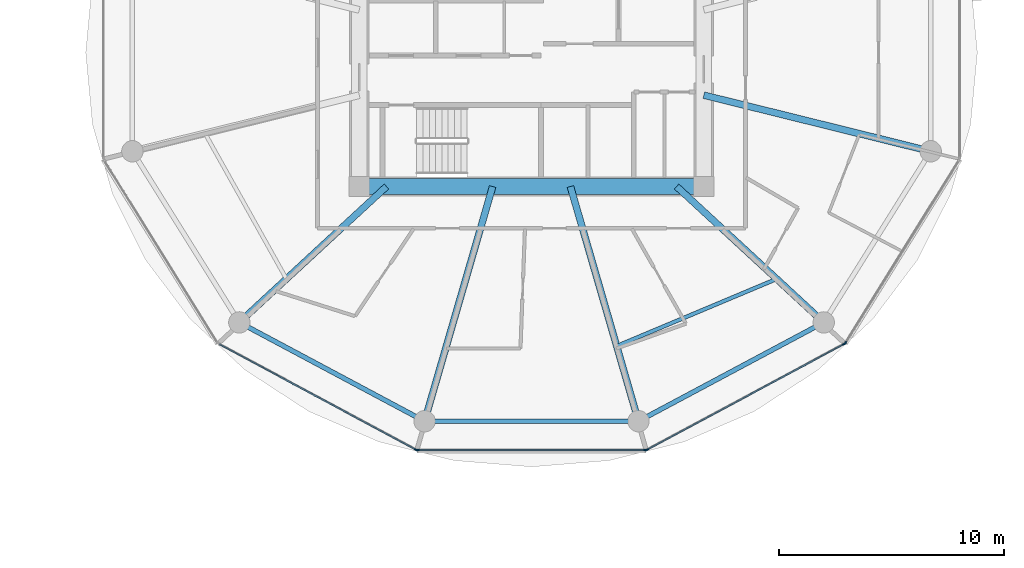
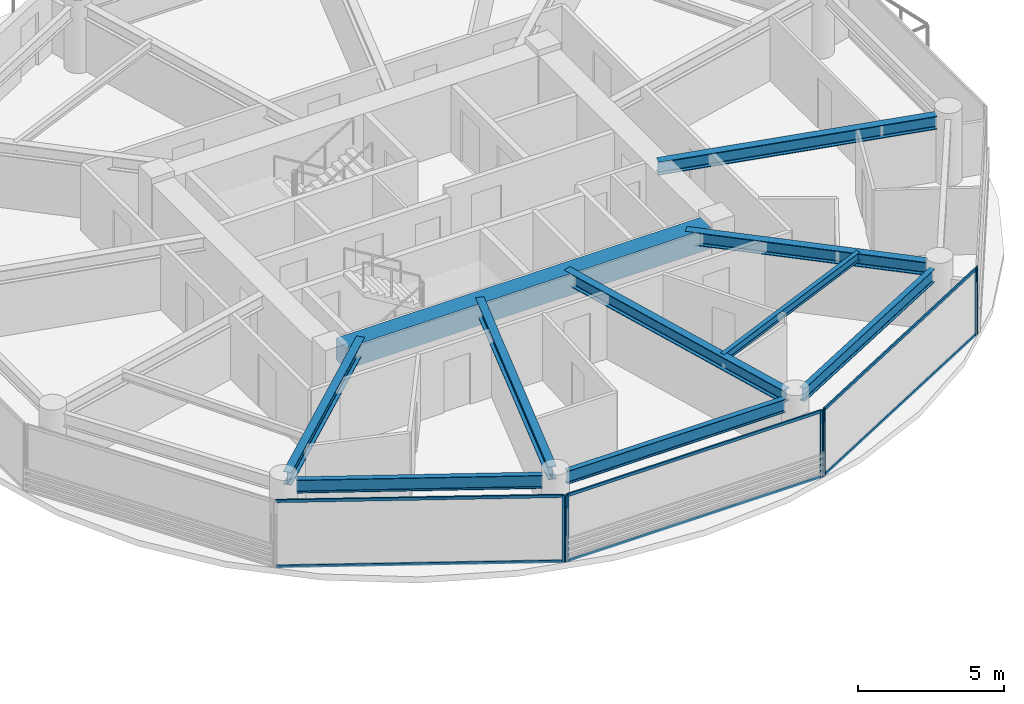
# One storey, part 10 of 26: 12 members, 10 beams, 4 elements without a shape of their own.
"""IFC4 building model written with IfcOpenShell, lengths in metres."""

from ifc_helpers import new_model, si_unit, direction, frame, origin, origin_2d, place, context, subcontext, project, spatial, rectangle, i_section, extrude, source, transform, mapped, material, layer, layer_set, material_profile, profile_set, type_object, type_shapes, element, aggregate, save


model = new_model("IFC4")

# Units and contexts
model_context = context("Model", 3, precision=1e-05, world=origin(), true_north=direction((0.0, 1.0)))
body_context = subcontext(model_context, "Body", "Model", "MODEL_VIEW")
ifc_project = project(units=[si_unit("LENGTHUNIT", "METRE"), si_unit("AREAUNIT", "SQUARE_METRE"), si_unit("VOLUMEUNIT", "CUBIC_METRE"), si_unit("PLANEANGLEUNIT", "RADIAN"), si_unit("MASSUNIT", "GRAM", prefix="KILO")], contexts=[model_context])

# Site, building, storey
site_placement = place(None, origin())
site = spatial("IfcSite", under=ifc_project, at=site_placement, CompositionType="ELEMENT")
building_placement = place(site_placement, origin())
building = spatial("IfcBuilding", under=site, at=building_placement, Name="Norrkilde Senior Care Towers", CompositionType="ELEMENT")
storey_placement = place(building_placement, frame((0.0, 0.0, 49.050048828125)))
storey = spatial("IfcBuildingStorey", under=building, at=storey_placement, Name="L14", CompositionType="ELEMENT", Elevation=49.050048828125)

# Beams
ifc_material_1 = material(Name="Concrete C60/75", Category="concrete")
ifc_material_profile_1 = material_profile(ifc_material_1, rectangle(XDim=0.699951171875, YDim=0.89990234375, at=origin_2d()), Name="RC BM 700x900")
ifc_profile_set_1 = profile_set([ifc_material_profile_1], Name="Concrete C60/75")
beam_type_1 = type_object("IfcBeamType", Name="Core Coupling Girder 700x900", PredefinedType="USERDEFINED", material=ifc_profile_set_1)
shared_shape_1 = source(origin(), body_context, "Body", "SweptSolid", [
    extrude(rectangle(XDim=0.699951171875, YDim=0.89990234375, at=origin_2d()), origin(), (0.0, 0.0, 1.0), 14.43994140625),
])
type_shapes(beam_type_1, [shared_shape_1])
beam_1_placement = place(storey_placement, frame((20.780029296875, -5.949951171875, 2.33984375), z_axis=(1.0, 0.0, 0.0), x_axis=(0.0, 1.0, 0.0)))
element("IfcBeam", 1, at=beam_1_placement, inside=storey, type_object=beam_type_1, Name="L14 Core E S Coupling Girder", ObjectType="GIRDER", PredefinedType="USERDEFINED", context=body_context, shape_type="MappedRepresentation", body=[
    mapped(shared_shape_1, transform((0.0, 0.0, 0.0), x_axis=(1.0, 0.0, 0.0), y_axis=(0.0, 1.0, 0.0), z_axis=(0.0, 0.0, 1.0), scale=1.0)),
])
ifc_material_2 = material(Name="Steel S355", Category="steel")
ifc_material_profile_2 = material_profile(ifc_material_2, i_section(OverallWidth=0.300048828125, OverallDepth=0.550048828125, WebThickness=0.014892578125, FlangeThickness=0.029052734375, FilletRadius=0.027099609375, at=origin_2d()), Name="HEB 550")
ifc_profile_set_2 = profile_set([ifc_material_profile_2], Name="Steel S355")
beam_type_2 = type_object("IfcBeamType", Name="Radial Floor Beam Z1 HEB550", PredefinedType="BEAM", material=ifc_profile_set_2)
shared_shape_2 = source(origin(), body_context, "Body", "SweptSolid", [
    extrude(i_section(OverallWidth=0.300048828125, OverallDepth=0.550048828125, WebThickness=0.014892578125, FlangeThickness=0.029052734375, FilletRadius=0.027099609375, at=origin_2d()), origin(), (0.0, 0.0, 1.0), 9.94384765625),
])
beam_2_placement = place(storey_placement, frame((35.64990234375, -1.893310546875, 2.514892578125), z_axis=(0.970707425182, -0.240264634718, 0.0), x_axis=(0.240264634718, 0.970707425182, 0.0)))
element("IfcBeam", 2, at=beam_2_placement, inside=storey, type_object=beam_type_2, Name="L14 Drum E Radial Floor Beam 12", PredefinedType="BEAM", context=body_context, shape_type="MappedRepresentation", body=[
    mapped(shared_shape_2, transform((0.0, 0.0, 0.0), x_axis=(1.0, 0.0, 0.0), y_axis=(0.0, 1.0, 0.0), z_axis=(0.0, 0.0, 1.0), scale=1.0)),
])
ifc_material_profile_3 = material_profile(ifc_material_2, i_section(OverallWidth=0.2099609375, OverallDepth=0.550048828125, WebThickness=0.010986328125, FlangeThickness=0.01708984375, FilletRadius=0.02392578125, at=origin_2d()), Name="IPE 550")
ifc_profile_set_3 = profile_set([ifc_material_profile_3], Name="Steel S355")
beam_type_3 = type_object("IfcBeamType", Name="Perimeter Ring Spandrel Z1 IPE550", PredefinedType="SPANDREL", material=ifc_profile_set_3)
shared_shape_3 = source(origin(), body_context, "Body", "SweptSolid", [
    extrude(i_section(OverallWidth=0.2099609375, OverallDepth=0.550048828125, WebThickness=0.010986328125, FlangeThickness=0.01708984375, FilletRadius=0.02392578125, at=origin_2d()), origin(), (0.0, 0.0, 1.0), 8.452880859375),
])
for number, where, z_axis, x_axis, name in (
    (3, (15.408447265625, -12.190185546875, 2.514892578125), (0.882368931134, -0.470558252898, 0.0), (0.470558252898, 0.882368931134, 0.0), "L14 Drum E Perimeter Spandrel 08"),
    (4, (33.133056640625, -16.167724609375, 2.514892578125), (0.882368931134, 0.470558252898, 0.0), (-0.470558252898, 0.882368931134, 0.0), "L14 Drum E Perimeter Spandrel 10"),
):
    element("IfcBeam", number, at=place(storey_placement, frame(where, z_axis=z_axis, x_axis=x_axis)), inside=storey, type_object=beam_type_3, Name=name, PredefinedType="SPANDREL", context=body_context, shape_type="MappedRepresentation", body=[
        mapped(shared_shape_3, transform((0.0, 0.0, 0.0), x_axis=(1.0, 0.0, 0.0), y_axis=(0.0, 1.0, 0.0), z_axis=(0.0, 0.0, 1.0), scale=1.0)),
    ])
shared_shape_4 = source(origin(), body_context, "Body", "SweptSolid", [
    extrude(i_section(OverallWidth=0.300048828125, OverallDepth=0.550048828125, WebThickness=0.014892578125, FlangeThickness=0.029052734375, FilletRadius=0.027099609375, at=origin_2d()), origin(), (0.0, 0.0, 1.0), 8.459716796875),
])
for number, where, z_axis, x_axis, name in (
    (5, (21.55859375, -5.949951171875, 2.514892578125), (-0.734573269108, -0.678529374686, 0.0), (0.678529374686, -0.734573269108, 0.0), "L14 Drum E Radial Floor Beam 08"),
    (6, (34.44140625, -5.949951171875, 2.514892578125), (0.734573269108, -0.678529374686, 0.0), (0.678529374686, 0.734573269108, 0.0), "L14 Drum E Radial Floor Beam 11"),
):
    element("IfcBeam", number, at=place(storey_placement, frame(where, z_axis=z_axis, x_axis=x_axis)), inside=storey, type_object=beam_type_2, Name=name, PredefinedType="BEAM", context=body_context, shape_type="MappedRepresentation", body=[
        mapped(shared_shape_4, transform((0.0, 0.0, 0.0), x_axis=(1.0, 0.0, 0.0), y_axis=(0.0, 1.0, 0.0), z_axis=(0.0, 0.0, 1.0), scale=1.0)),
    ])
shared_shape_5 = source(origin(), body_context, "Body", "SweptSolid", [
    extrude(i_section(OverallWidth=0.2099609375, OverallDepth=0.550048828125, WebThickness=0.010986328125, FlangeThickness=0.01708984375, FilletRadius=0.02392578125, at=origin_2d()), origin(), (0.0, 0.0, 1.0), 8.62841796875),
])
type_shapes(beam_type_3, [shared_shape_3, shared_shape_5])
beam_3_placement = place(storey_placement, frame((23.685791015625, -16.37255859375, 2.514892578125), z_axis=(1.0, 0.0, 0.0), x_axis=(0.0, 1.0, 0.0)))
element("IfcBeam", 7, at=beam_3_placement, inside=storey, type_object=beam_type_3, Name="L14 Drum E Perimeter Spandrel 09", PredefinedType="SPANDREL", context=body_context, shape_type="MappedRepresentation", body=[
    mapped(shared_shape_5, transform((0.0, 0.0, 0.0), x_axis=(1.0, 0.0, 0.0), y_axis=(0.0, 1.0, 0.0), z_axis=(0.0, 0.0, 1.0), scale=1.0)),
])
shared_shape_6 = source(origin(), body_context, "Body", "SweptSolid", [
    extrude(i_section(OverallWidth=0.300048828125, OverallDepth=0.550048828125, WebThickness=0.014892578125, FlangeThickness=0.029052734375, FilletRadius=0.027099609375, at=origin_2d()), origin(), (0.0, 0.0, 1.0), 10.4169921875),
])
type_shapes(beam_type_2, [shared_shape_2, shared_shape_4, shared_shape_6])
for number, where, z_axis, x_axis, name in (
    (8, (26.27392578125, -5.949951171875, 2.514892578125), (-0.278591250785, -0.960409764104, 0.0), (0.960409764104, -0.278591250785, 0.0), "L14 Drum E Radial Floor Beam 09"),
    (9, (29.72607421875, -5.949951171875, 2.514892578125), (0.278591250785, -0.960409764104, 0.0), (0.960409764104, 0.278591250785, 0.0), "L14 Drum E Radial Floor Beam 10"),
):
    element("IfcBeam", number, at=place(storey_placement, frame(where, z_axis=z_axis, x_axis=x_axis)), inside=storey, type_object=beam_type_2, Name=name, PredefinedType="BEAM", context=body_context, shape_type="MappedRepresentation", body=[
        mapped(shared_shape_6, transform((0.0, 0.0, 0.0), x_axis=(1.0, 0.0, 0.0), y_axis=(0.0, 1.0, 0.0), z_axis=(0.0, 0.0, 1.0), scale=1.0)),
    ])
ifc_material_profile_4 = material_profile(ifc_material_2, i_section(OverallWidth=0.169921875, OverallDepth=0.360107421875, WebThickness=0.008056640625, FlangeThickness=0.0126953125, FilletRadius=0.01806640625, at=origin_2d()), Name="IPE 360")
ifc_profile_set_4 = profile_set([ifc_material_profile_4], Name="Steel S355")
beam_type_4 = type_object("IfcBeamType", Name="Secondary Floor Joist IPE360", PredefinedType="JOIST", material=ifc_profile_set_4)
shared_shape_7 = source(origin(), body_context, "Body", "SweptSolid", [
    extrude(i_section(OverallWidth=0.169921875, OverallDepth=0.360107421875, WebThickness=0.008056640625, FlangeThickness=0.0126953125, FilletRadius=0.01806640625, at=origin_2d()), origin(), (0.0, 0.0, 1.0), 7.703857421875),
])
type_shapes(beam_type_4, [shared_shape_7])
beam_4_placement = place(storey_placement, frame((31.78173828125, -13.037353515625, 2.60986328125), z_axis=(0.921982784465, 0.387230868023, 0.0), x_axis=(-0.387230868023, 0.921982784465, 0.0)))
element("IfcBeam", 10, at=beam_4_placement, inside=storey, type_object=beam_type_4, Name="L14 Drum E Secondary Floor Joist 4", PredefinedType="JOIST", context=body_context, shape_type="MappedRepresentation", body=[
    mapped(shared_shape_7, transform((0.0, 0.0, 0.0), x_axis=(1.0, 0.0, 0.0), y_axis=(0.0, 1.0, 0.0), z_axis=(0.0, 0.0, 1.0), scale=1.0)),
])

# Curtain wall, member
ifc_material_3 = material(Name="Triple Low-E Insulated Glazing", Category="glass")
ifc_layer = layer(ifc_material_3, 0.199951171875)
ifc_layer_set = layer_set([ifc_layer], Name="Triple Low-E Insulated Glazing")
curtain_wall_type = type_object("IfcCurtainWallType", Name="CW2 Zone 1 Memory Care Curtain Wall", PredefinedType="NOTDEFINED", material=ifc_layer_set)
curtain_wall_1_placement = place(storey_placement, origin())
curtain_wall_1 = element("IfcCurtainWall", 11, at=curtain_wall_1_placement, inside=storey, type_object=curtain_wall_type, Name="L14 Drum E Curtain Wall 07", PredefinedType="NOTDEFINED")
ifc_material_4 = material(Name="Anodised Aluminium", Category="aluminium")
ifc_material_profile_5 = material_profile(ifc_material_4, rectangle(XDim=0.06494140625, YDim=0.159912109375, at=origin_2d()), Name="ALU MULL 65x160")
ifc_profile_set_5 = profile_set([ifc_material_profile_5], Name="Anodised Aluminium")
member_type_1 = type_object("IfcMemberType", Name="Curtain Wall Mullion Z1-Z2 65x160", PredefinedType="MULLION", material=ifc_profile_set_5)
shared_shape_8 = source(origin(), body_context, "Body", "SweptSolid", [
    extrude(rectangle(XDim=0.06494140625, YDim=0.159912109375, at=origin_2d()), origin(), (0.0, 0.0, 1.0), 2.7900390625),
])
type_shapes(member_type_1, [shared_shape_8])
member_1_placement = place(storey_placement, frame((22.877685546875, -17.641845703125, 0.0), z_axis=(0.0, 0.0, 1.0), x_axis=(-0.472607802456, -0.881272866403, 0.0)))
member_1 = element("IfcMember", 12, at=member_1_placement, type_object=member_type_1, Name="CW-2 mullion 1", PredefinedType="MULLION", context=body_context, shape_type="MappedRepresentation", body=[
    mapped(shared_shape_8, transform((0.0, 0.0, 0.0), x_axis=(1.0, 0.0, 0.0), y_axis=(0.0, 1.0, 0.0), z_axis=(0.0, 0.0, 1.0), scale=1.0)),
])

# Curtain wall, members
curtain_wall_2_placement = place(storey_placement, origin())
curtain_wall_2 = element("IfcCurtainWall", 13, at=curtain_wall_2_placement, inside=storey, type_object=curtain_wall_type, Name="L14 Drum E Curtain Wall 08", PredefinedType="NOTDEFINED")
member_2_placement = place(storey_placement, frame((33.06103515625, -17.6572265625, 0.0), z_axis=(0.0, 0.0, 1.0), x_axis=(0.0, -1.0, 0.0)))
member_2 = element("IfcMember", 14, at=member_2_placement, type_object=member_type_1, Name="CW-2 mullion 1", PredefinedType="MULLION", context=body_context, shape_type="MappedRepresentation", body=[
    mapped(shared_shape_8, transform((0.0, 0.0, 0.0), x_axis=(1.0, 0.0, 0.0), y_axis=(0.0, 1.0, 0.0), z_axis=(0.0, 0.0, 1.0), scale=1.0)),
])
member_3_placement = place(storey_placement, frame((22.93896484375, -17.6572265625, 0.0), z_axis=(0.0, 0.0, 1.0), x_axis=(0.0, -1.0, 0.0)))
member_3 = element("IfcMember", 15, at=member_3_placement, type_object=member_type_1, Name="CW-2 mullion 2", PredefinedType="MULLION", context=body_context, shape_type="MappedRepresentation", body=[
    mapped(shared_shape_8, transform((0.0, 0.0, 0.0), x_axis=(1.0, 0.0, 0.0), y_axis=(0.0, 1.0, 0.0), z_axis=(0.0, 0.0, 1.0), scale=1.0)),
])

curtain_wall_3_placement = place(storey_placement, origin())
curtain_wall_3 = element("IfcCurtainWall", 16, at=curtain_wall_3_placement, inside=storey, type_object=curtain_wall_type, Name="L14 Drum E Curtain Wall 09", PredefinedType="NOTDEFINED")
member_4_placement = place(storey_placement, frame((41.88720703125, -12.941162109375, 0.0), z_axis=(0.0, 0.0, 1.0), x_axis=(0.472607802456, -0.881272866403, 0.0)))
member_4 = element("IfcMember", 17, at=member_4_placement, type_object=member_type_1, Name="CW-2 mullion 1", PredefinedType="MULLION", context=body_context, shape_type="MappedRepresentation", body=[
    mapped(shared_shape_8, transform((0.0, 0.0, 0.0), x_axis=(1.0, 0.0, 0.0), y_axis=(0.0, 1.0, 0.0), z_axis=(0.0, 0.0, 1.0), scale=1.0)),
])
member_5_placement = place(storey_placement, frame((33.122314453125, -17.641845703125, 0.0), z_axis=(0.0, 0.0, 1.0), x_axis=(0.472607802456, -0.881272866403, 0.0)))
member_5 = element("IfcMember", 18, at=member_5_placement, type_object=member_type_1, Name="CW-2 mullion 2", PredefinedType="MULLION", context=body_context, shape_type="MappedRepresentation", body=[
    mapped(shared_shape_8, transform((0.0, 0.0, 0.0), x_axis=(1.0, 0.0, 0.0), y_axis=(0.0, 1.0, 0.0), z_axis=(0.0, 0.0, 1.0), scale=1.0)),
])

# Curtain wall, member
curtain_wall_4_placement = place(storey_placement, origin())
curtain_wall_4 = element("IfcCurtainWall", 19, at=curtain_wall_4_placement, inside=storey, type_object=curtain_wall_type, Name="L14 Drum E Curtain Wall 10", PredefinedType="NOTDEFINED")
member_6_placement = place(storey_placement, frame((41.93310546875, -12.898193359375, 0.0), z_axis=(0.0, 0.0, 1.0), x_axis=(0.849305943117, -0.527900951871, 0.0)))
member_6 = element("IfcMember", 20, at=member_6_placement, type_object=member_type_1, Name="CW-2 mullion 2", PredefinedType="MULLION", context=body_context, shape_type="MappedRepresentation", body=[
    mapped(shared_shape_8, transform((0.0, 0.0, 0.0), x_axis=(1.0, 0.0, 0.0), y_axis=(0.0, 1.0, 0.0), z_axis=(0.0, 0.0, 1.0), scale=1.0)),
])
aggregate(curtain_wall_4, [member_6])

# Member
ifc_material_profile_6 = material_profile(ifc_material_4, rectangle(XDim=0.06005859375, YDim=0.1201171875, at=origin_2d()), Name="ALU TRAN 60x120")
ifc_profile_set_6 = profile_set([ifc_material_profile_6], Name="Anodised Aluminium")
member_type_2 = type_object("IfcMemberType", Name="Curtain Wall Transom Typical 60x120", PredefinedType="USERDEFINED", material=ifc_profile_set_6)
shared_shape_9 = source(origin(), body_context, "Body", "SweptSolid", [
    extrude(rectangle(XDim=0.06005859375, YDim=0.1201171875, at=origin_2d()), origin(), (0.0, 0.0, 1.0), 9.880859375),
])
member_7_placement = place(storey_placement, frame((22.84912109375, -17.62646484375, 0.030029296875), z_axis=(-0.881267204043, 0.47261836092, 0.0), x_axis=(-0.47261836092, -0.881267204043, 0.0)))
member_7 = element("IfcMember", 21, at=member_7_placement, type_object=member_type_2, Name="CW-2 transom 1.1", ObjectType="TRANSOM", PredefinedType="USERDEFINED", context=body_context, shape_type="MappedRepresentation", body=[
    mapped(shared_shape_9, transform((0.0, 0.0, 0.0), x_axis=(1.0, 0.0, 0.0), y_axis=(0.0, 1.0, 0.0), z_axis=(0.0, 0.0, 1.0), scale=1.0)),
])

member_8_placement = place(storey_placement, frame((22.84912109375, -17.62646484375, 2.760009765625), z_axis=(-0.881267204043, 0.47261836092, 0.0), x_axis=(-0.47261836092, -0.881267204043, 0.0)))
member_8 = element("IfcMember", 22, at=member_8_placement, type_object=member_type_2, Name="CW-2 transom 1.2", ObjectType="TRANSOM", PredefinedType="USERDEFINED", context=body_context, shape_type="MappedRepresentation", body=[
    mapped(shared_shape_9, transform((0.0, 0.0, 0.0), x_axis=(1.0, 0.0, 0.0), y_axis=(0.0, 1.0, 0.0), z_axis=(0.0, 0.0, 1.0), scale=1.0)),
])

aggregate(curtain_wall_1, [member_1, member_7, member_8])

member_9_placement = place(storey_placement, frame((41.858642578125, -12.95654296875, 0.030029296875), z_axis=(-0.881267204043, -0.47261836092, 0.0), x_axis=(0.47261836092, -0.881267204043, 0.0)))
member_9 = element("IfcMember", 23, at=member_9_placement, type_object=member_type_2, Name="CW-2 transom 1.1", ObjectType="TRANSOM", PredefinedType="USERDEFINED", context=body_context, shape_type="MappedRepresentation", body=[
    mapped(shared_shape_9, transform((0.0, 0.0, 0.0), x_axis=(1.0, 0.0, 0.0), y_axis=(0.0, 1.0, 0.0), z_axis=(0.0, 0.0, 1.0), scale=1.0)),
])

member_10_placement = place(storey_placement, frame((41.858642578125, -12.95654296875, 2.760009765625), z_axis=(-0.881267204043, -0.47261836092, 0.0), x_axis=(0.47261836092, -0.881267204043, 0.0)))
member_10 = element("IfcMember", 24, at=member_10_placement, type_object=member_type_2, Name="CW-2 transom 1.2", ObjectType="TRANSOM", PredefinedType="USERDEFINED", context=body_context, shape_type="MappedRepresentation", body=[
    mapped(shared_shape_9, transform((0.0, 0.0, 0.0), x_axis=(1.0, 0.0, 0.0), y_axis=(0.0, 1.0, 0.0), z_axis=(0.0, 0.0, 1.0), scale=1.0)),
])

aggregate(curtain_wall_3, [member_4, member_5, member_9, member_10])

shared_shape_10 = source(origin(), body_context, "Body", "SweptSolid", [
    extrude(rectangle(XDim=0.06005859375, YDim=0.1201171875, at=origin_2d()), origin(), (0.0, 0.0, 1.0), 10.05712890625),
])
type_shapes(member_type_2, [shared_shape_9, shared_shape_10])
member_11_placement = place(storey_placement, frame((33.028564453125, -17.6572265625, 0.030029296875), z_axis=(-1.0, 0.0, 0.0), x_axis=(0.0, -1.0, 0.0)))
member_11 = element("IfcMember", 25, at=member_11_placement, type_object=member_type_2, Name="CW-2 transom 1.1", ObjectType="TRANSOM", PredefinedType="USERDEFINED", context=body_context, shape_type="MappedRepresentation", body=[
    mapped(shared_shape_10, transform((0.0, 0.0, 0.0), x_axis=(1.0, 0.0, 0.0), y_axis=(0.0, 1.0, 0.0), z_axis=(0.0, 0.0, 1.0), scale=1.0)),
])

member_12_placement = place(storey_placement, frame((33.028564453125, -17.6572265625, 2.760009765625), z_axis=(-1.0, 0.0, 0.0), x_axis=(0.0, -1.0, 0.0)))
member_12 = element("IfcMember", 26, at=member_12_placement, type_object=member_type_2, Name="CW-2 transom 1.2", ObjectType="TRANSOM", PredefinedType="USERDEFINED", context=body_context, shape_type="MappedRepresentation", body=[
    mapped(shared_shape_10, transform((0.0, 0.0, 0.0), x_axis=(1.0, 0.0, 0.0), y_axis=(0.0, 1.0, 0.0), z_axis=(0.0, 0.0, 1.0), scale=1.0)),
])

aggregate(curtain_wall_2, [member_2, member_3, member_11, member_12])

save(model, "model.ifc")
